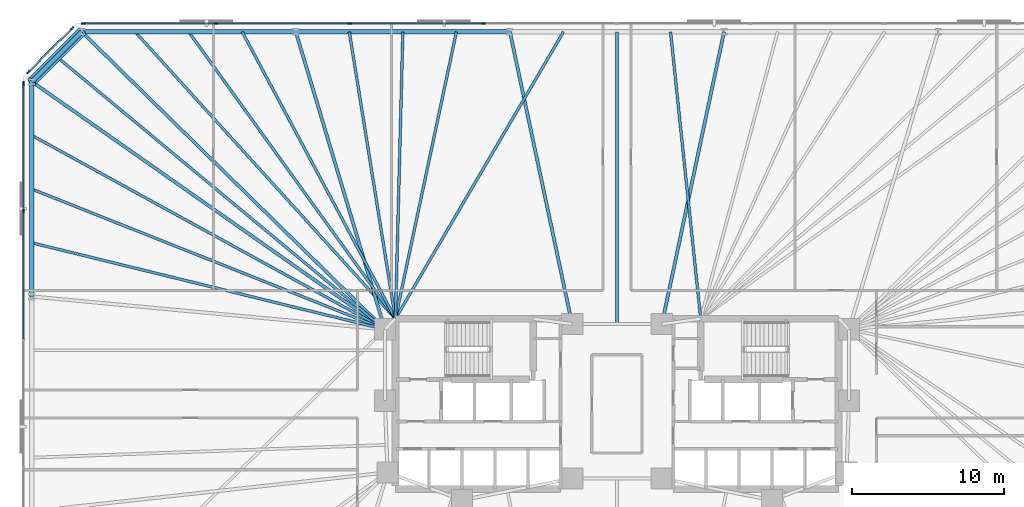
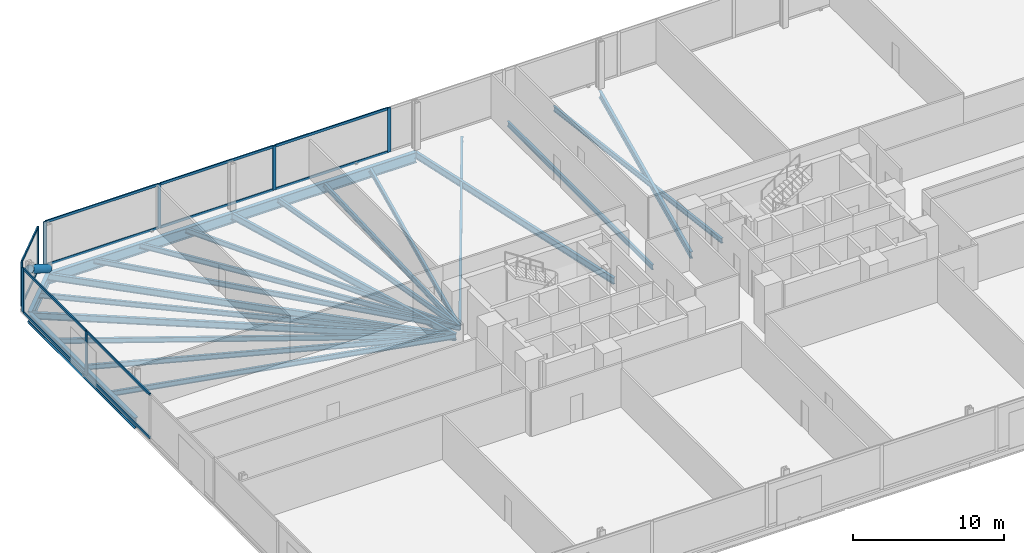
# One storey, part 8 of 17: 22 beams, 21 members, 3 elements without a shape of their own.
"""IFC4 building model written with IfcOpenShell, lengths in metres."""

from ifc_helpers import new_model, si_unit, direction, frame, origin, origin_2d, place, context, subcontext, project, spatial, rectangle, hollow_circle, i_section, extrude, material, material_profile, profile_set, type_object, element, aggregate, save


model = new_model("IFC4")

# Units and contexts
model_context = context("Model", 3, precision=1e-05, world=origin(), true_north=direction((0.0, 1.0)))
body_context = subcontext(model_context, "Body", "Model", "MODEL_VIEW")
ifc_project = project(units=[si_unit("LENGTHUNIT", "METRE"), si_unit("AREAUNIT", "SQUARE_METRE"), si_unit("VOLUMEUNIT", "CUBIC_METRE"), si_unit("PLANEANGLEUNIT", "RADIAN"), si_unit("MASSUNIT", "GRAM", prefix="KILO")], contexts=[model_context])

# Site, building, storey
site_placement = place(None, origin())
site = spatial("IfcSite", under=ifc_project, at=site_placement, CompositionType="ELEMENT")
building_placement = place(site_placement, origin())
building = spatial("IfcBuilding", under=site, at=building_placement, Name="Menara Jurai Vektor", CompositionType="ELEMENT")
storey_placement = place(building_placement, frame((0.0, 0.0, 71.199951171875)))
storey = spatial("IfcBuildingStorey", under=building, at=storey_placement, Name="L17", CompositionType="ELEMENT", Elevation=71.199951171875)

# Curtain wall, members
ifc_material_1 = material(Name="Anodised Pale Aluminium & Low-E Double Glazing", Category="aluminium")
curtain_wall_type = type_object("IfcCurtainWallType", Name="CW-BLK1", PredefinedType="NOTDEFINED", material=ifc_material_1)
curtain_wall_1_placement = place(storey_placement, origin())
curtain_wall_1 = element("IfcCurtainWall", 1, at=curtain_wall_1_placement, inside=storey, type_object=curtain_wall_type, Name="Unitised Curtain Wall L17 F05", PredefinedType="NOTDEFINED")
ifc_material_2 = material(Name="Anodised Pale Aluminium Mullion", Category="aluminium")
ifc_material_profile_1 = material_profile(ifc_material_2, rectangle(XDim=0.094970703125, YDim=0.239990234375, at=origin_2d()), Name="ALU MUL 95x240")
ifc_profile_set_1 = profile_set([ifc_material_profile_1], Name="Anodised Pale Aluminium Mullion")
member_type_1 = type_object("IfcMemberType", Name="CW-BLK1-MUL", PredefinedType="MULLION", material=ifc_profile_set_1)
member_1_placement = place(storey_placement, frame((-8.780029296875, 25.0, 0.0), z_axis=(0.0, 0.0, 1.0), x_axis=(0.0, -1.0, 0.0)))
member_1 = element("IfcMember", 2, at=member_1_placement, type_object=member_type_1, Name="CW-01 mullion 6", PredefinedType="MULLION", context=body_context, shape_type="SweptSolid", body=[
    extrude(rectangle(XDim=0.094970703125, YDim=0.239990234375, at=origin_2d()), origin(), (0.0, 0.0, 1.0), 3.574951171875),
])
member_2_placement = place(storey_placement, frame((-17.56005859375, 25.0, 0.0), z_axis=(0.0, 0.0, 1.0), x_axis=(0.0, -1.0, 0.0)))
member_2 = element("IfcMember", 3, at=member_2_placement, type_object=member_type_1, Name="CW-01 mullion 7", PredefinedType="MULLION", context=body_context, shape_type="SweptSolid", body=[
    extrude(rectangle(XDim=0.094970703125, YDim=0.239990234375, at=origin_2d()), origin(), (0.0, 0.0, 1.0), 3.574951171875),
])
member_3_placement = place(storey_placement, frame((-26.340087890625, 25.0, 0.0), z_axis=(0.0, 0.0, 1.0), x_axis=(0.0, -1.0, 0.0)))
member_3 = element("IfcMember", 4, at=member_3_placement, type_object=member_type_1, Name="CW-01 mullion 8", PredefinedType="MULLION", context=body_context, shape_type="SweptSolid", body=[
    extrude(rectangle(XDim=0.094970703125, YDim=0.239990234375, at=origin_2d()), origin(), (0.0, 0.0, 1.0), 3.574951171875),
])
member_4_placement = place(storey_placement, frame((-35.072509765625, 25.0, 0.0), z_axis=(0.0, 0.0, 1.0), x_axis=(0.0, -1.0, 0.0)))
member_4 = element("IfcMember", 5, at=member_4_placement, type_object=member_type_1, Name="CW-01 mullion 9", PredefinedType="MULLION", context=body_context, shape_type="SweptSolid", body=[
    extrude(rectangle(XDim=0.094970703125, YDim=0.239990234375, at=origin_2d()), origin(), (0.0, 0.0, 1.0), 3.574951171875),
])

curtain_wall_2_placement = place(storey_placement, origin())
curtain_wall_2 = element("IfcCurtainWall", 6, at=curtain_wall_2_placement, inside=storey, type_object=curtain_wall_type, Name="Unitised Curtain Wall L17 F06", PredefinedType="NOTDEFINED")
member_5_placement = place(storey_placement, frame((-35.80224609375, 24.69775390625, 0.0), z_axis=(0.0, 0.0, 1.0), x_axis=(0.707106781187, -0.707106781187, 0.0)))
member_5 = element("IfcMember", 7, at=member_5_placement, type_object=member_type_1, Name="CW-01 mullion 1", PredefinedType="MULLION", context=body_context, shape_type="SweptSolid", body=[
    extrude(rectangle(XDim=0.094970703125, YDim=0.239990234375, at=origin_2d()), origin(), (0.0, 0.0, 1.0), 3.574951171875),
])
member_6_placement = place(storey_placement, frame((-38.69775390625, 21.80224609375, 0.0), z_axis=(0.0, 0.0, 1.0), x_axis=(0.707106781187, -0.707106781187, 0.0)))
member_6 = element("IfcMember", 8, at=member_6_placement, type_object=member_type_1, Name="CW-01 mullion 2", PredefinedType="MULLION", context=body_context, shape_type="SweptSolid", body=[
    extrude(rectangle(XDim=0.094970703125, YDim=0.239990234375, at=origin_2d()), origin(), (0.0, 0.0, 1.0), 3.574951171875),
])

curtain_wall_3_placement = place(storey_placement, origin())
curtain_wall_3 = element("IfcCurtainWall", 9, at=curtain_wall_3_placement, inside=storey, type_object=curtain_wall_type, Name="Unitised Curtain Wall L17 F07", PredefinedType="NOTDEFINED")
member_7_placement = place(storey_placement, frame((-39.0, 21.072509765625, 0.0), z_axis=(0.0, 0.0, 1.0), x_axis=(1.0, 0.0, 0.0)))
member_7 = element("IfcMember", 10, at=member_7_placement, type_object=member_type_1, Name="CW-01 mullion 1", PredefinedType="MULLION", context=body_context, shape_type="SweptSolid", body=[
    extrude(rectangle(XDim=0.094970703125, YDim=0.239990234375, at=origin_2d()), origin(), (0.0, 0.0, 1.0), 3.574951171875),
])
member_8_placement = place(storey_placement, frame((-39.0, 12.672119140625, 0.0), z_axis=(0.0, 0.0, 1.0), x_axis=(1.0, 0.0, 0.0)))
member_8 = element("IfcMember", 11, at=member_8_placement, type_object=member_type_1, Name="CW-01 mullion 2", PredefinedType="MULLION", context=body_context, shape_type="SweptSolid", body=[
    extrude(rectangle(XDim=0.094970703125, YDim=0.239990234375, at=origin_2d()), origin(), (0.0, 0.0, 1.0), 3.574951171875),
])

# Member
ifc_material_3 = material(Name="Anodised Pale Aluminium Transom", Category="aluminium")
ifc_material_profile_2 = material_profile(ifc_material_3, rectangle(XDim=0.094970703125, YDim=0.199951171875, at=origin_2d()), Name="ALU TRN 95x200")
ifc_profile_set_2 = profile_set([ifc_material_profile_2], Name="Anodised Pale Aluminium Transom")
member_type_2 = type_object("IfcMemberType", Name="CW-BLK1-TRN", PredefinedType="USERDEFINED", material=ifc_profile_set_2)
member_9_placement = place(storey_placement, frame((-8.827392578125, 25.0, 0.047607421875), z_axis=(-1.0, 0.0, 0.0), x_axis=(0.0, -1.0, 0.0)))
member_9 = element("IfcMember", 12, at=member_9_placement, type_object=member_type_2, Name="CW-01 transom 6.1", ObjectType="TRANSOM", PredefinedType="USERDEFINED", context=body_context, shape_type="SweptSolid", body=[
    extrude(rectangle(XDim=0.094970703125, YDim=0.199951171875, at=origin_2d()), origin(), (0.0, 0.0, 1.0), 8.68505859375),
])

member_10_placement = place(storey_placement, frame((-8.827392578125, 25.0, 3.527587890625), z_axis=(-1.0, 0.0, 0.0), x_axis=(0.0, -1.0, 0.0)))
member_10 = element("IfcMember", 13, at=member_10_placement, type_object=member_type_2, Name="CW-01 transom 6.2", ObjectType="TRANSOM", PredefinedType="USERDEFINED", context=body_context, shape_type="SweptSolid", body=[
    extrude(rectangle(XDim=0.094970703125, YDim=0.199951171875, at=origin_2d()), origin(), (0.0, 0.0, 1.0), 8.68505859375),
])

member_11_placement = place(storey_placement, frame((-17.607421875, 25.0, 0.047607421875), z_axis=(-1.0, 0.0, 0.0), x_axis=(0.0, -1.0, 0.0)))
member_11 = element("IfcMember", 14, at=member_11_placement, type_object=member_type_2, Name="CW-01 transom 7.1", ObjectType="TRANSOM", PredefinedType="USERDEFINED", context=body_context, shape_type="SweptSolid", body=[
    extrude(rectangle(XDim=0.094970703125, YDim=0.199951171875, at=origin_2d()), origin(), (0.0, 0.0, 1.0), 8.68505859375),
])

member_12_placement = place(storey_placement, frame((-17.607421875, 25.0, 3.527587890625), z_axis=(-1.0, 0.0, 0.0), x_axis=(0.0, -1.0, 0.0)))
member_12 = element("IfcMember", 15, at=member_12_placement, type_object=member_type_2, Name="CW-01 transom 7.2", ObjectType="TRANSOM", PredefinedType="USERDEFINED", context=body_context, shape_type="SweptSolid", body=[
    extrude(rectangle(XDim=0.094970703125, YDim=0.199951171875, at=origin_2d()), origin(), (0.0, 0.0, 1.0), 8.68505859375),
])

member_13_placement = place(storey_placement, frame((-26.387451171875, 25.0, 0.047607421875), z_axis=(-1.0, 0.0, 0.0), x_axis=(0.0, -1.0, 0.0)))
member_13 = element("IfcMember", 16, at=member_13_placement, type_object=member_type_2, Name="CW-01 transom 8.1", ObjectType="TRANSOM", PredefinedType="USERDEFINED", context=body_context, shape_type="SweptSolid", body=[
    extrude(rectangle(XDim=0.094970703125, YDim=0.199951171875, at=origin_2d()), origin(), (0.0, 0.0, 1.0), 8.637451171875),
])

member_14_placement = place(storey_placement, frame((-26.387451171875, 25.0, 3.527587890625), z_axis=(-1.0, 0.0, 0.0), x_axis=(0.0, -1.0, 0.0)))
member_14 = element("IfcMember", 17, at=member_14_placement, type_object=member_type_2, Name="CW-01 transom 8.2", ObjectType="TRANSOM", PredefinedType="USERDEFINED", context=body_context, shape_type="SweptSolid", body=[
    extrude(rectangle(XDim=0.094970703125, YDim=0.199951171875, at=origin_2d()), origin(), (0.0, 0.0, 1.0), 8.637451171875),
])

aggregate(curtain_wall_1, [member_1, member_2, member_3, member_4, member_9, member_10, member_11, member_12, member_13, member_14])

member_15_placement = place(storey_placement, frame((-35.8359375, 24.6640625, 0.047607421875), z_axis=(-0.707106781187, -0.707106781187, 0.0), x_axis=(0.707106781187, -0.707106781187, 0.0)))
member_15 = element("IfcMember", 18, at=member_15_placement, type_object=member_type_2, Name="CW-01 transom 1.1", ObjectType="TRANSOM", PredefinedType="USERDEFINED", context=body_context, shape_type="SweptSolid", body=[
    extrude(rectangle(XDim=0.094970703125, YDim=0.199951171875, at=origin_2d()), origin(), (0.0, 0.0, 1.0), 3.99951171875),
])

member_16_placement = place(storey_placement, frame((-35.8359375, 24.6640625, 3.527587890625), z_axis=(-0.707106781187, -0.707106781187, 0.0), x_axis=(0.707106781187, -0.707106781187, 0.0)))
member_16 = element("IfcMember", 19, at=member_16_placement, type_object=member_type_2, Name="CW-01 transom 1.2", ObjectType="TRANSOM", PredefinedType="USERDEFINED", context=body_context, shape_type="SweptSolid", body=[
    extrude(rectangle(XDim=0.094970703125, YDim=0.199951171875, at=origin_2d()), origin(), (0.0, 0.0, 1.0), 3.99951171875),
])

aggregate(curtain_wall_2, [member_5, member_6, member_15, member_16])

member_17_placement = place(storey_placement, frame((-39.0, 21.02490234375, 0.047607421875), z_axis=(0.0, -1.0, 0.0), x_axis=(1.0, 0.0, 0.0)))
member_17 = element("IfcMember", 20, at=member_17_placement, type_object=member_type_2, Name="CW-01 transom 1.1", ObjectType="TRANSOM", PredefinedType="USERDEFINED", context=body_context, shape_type="SweptSolid", body=[
    extrude(rectangle(XDim=0.094970703125, YDim=0.199951171875, at=origin_2d()), origin(), (0.0, 0.0, 1.0), 8.305419921875),
])

member_18_placement = place(storey_placement, frame((-39.0, 21.02490234375, 3.527587890625), z_axis=(0.0, -1.0, 0.0), x_axis=(1.0, 0.0, 0.0)))
member_18 = element("IfcMember", 21, at=member_18_placement, type_object=member_type_2, Name="CW-01 transom 1.2", ObjectType="TRANSOM", PredefinedType="USERDEFINED", context=body_context, shape_type="SweptSolid", body=[
    extrude(rectangle(XDim=0.094970703125, YDim=0.199951171875, at=origin_2d()), origin(), (0.0, 0.0, 1.0), 8.305419921875),
])

member_19_placement = place(storey_placement, frame((-39.0, 12.62451171875, 0.047607421875), z_axis=(0.0, -1.0, 0.0), x_axis=(1.0, 0.0, 0.0)))
member_19 = element("IfcMember", 22, at=member_19_placement, type_object=member_type_2, Name="CW-01 transom 2.1", ObjectType="TRANSOM", PredefinedType="USERDEFINED", context=body_context, shape_type="SweptSolid", body=[
    extrude(rectangle(XDim=0.094970703125, YDim=0.199951171875, at=origin_2d()), origin(), (0.0, 0.0, 1.0), 8.35302734375),
])

member_20_placement = place(storey_placement, frame((-39.0, 12.62451171875, 3.527587890625), z_axis=(0.0, -1.0, 0.0), x_axis=(1.0, 0.0, 0.0)))
member_20 = element("IfcMember", 23, at=member_20_placement, type_object=member_type_2, Name="CW-01 transom 2.2", ObjectType="TRANSOM", PredefinedType="USERDEFINED", context=body_context, shape_type="SweptSolid", body=[
    extrude(rectangle(XDim=0.094970703125, YDim=0.199951171875, at=origin_2d()), origin(), (0.0, 0.0, 1.0), 8.35302734375),
])

aggregate(curtain_wall_3, [member_7, member_8, member_17, member_18, member_19, member_20])

# Beams
ifc_material_4 = material(Name="Steel S355", Category="steel")
ifc_material_profile_3 = material_profile(ifc_material_4, i_section(OverallWidth=0.2109375, OverallDepth=0.5390625, WebThickness=0.011962890625, FlangeThickness=0.01904296875, FilletRadius=0.012939453125, at=origin_2d()), Name="UKB 533x210x109")
ifc_profile_set_3 = profile_set([ifc_material_profile_3], Name="Steel S355")
beam_type_1 = type_object("IfcBeamType", Name="STR-BM-533", PredefinedType="BEAM", material=ifc_profile_set_3)
for number, where, z_axis, x_axis, name in (
    (24, (7.03564453125, 24.449951171875, -0.494384765625), (-0.2081367579, -0.978099734184, 0.0), (0.978099734184, -0.2081367579, 0.0), "Radial Floor Girder L17-N3"),
    (25, (-7.03564453125, 24.449951171875, -0.494384765625), (0.2081367579, -0.978099734184, 0.0), (0.978099734184, 0.2081367579, 0.0), "Radial Floor Girder L17-N4"),
):
    element("IfcBeam", number, at=place(storey_placement, frame(where, z_axis=z_axis, x_axis=x_axis)), inside=storey, type_object=beam_type_1, Name=name, PredefinedType="BEAM", context=body_context, shape_type="SweptSolid", body=[
        extrude(i_section(OverallWidth=0.2109375, OverallDepth=0.5390625, WebThickness=0.011962890625, FlangeThickness=0.01904296875, FilletRadius=0.012939453125, at=origin_2d()), origin(), (0.0, 0.0, 1.0), 19.6298828125),
    ])
beam_1_placement = place(storey_placement, frame((-21.106689453125, 24.449951171875, -0.494384765625), z_axis=(0.286973617166, -0.957938486047, 0.0), x_axis=(0.957938486047, 0.286973617166, 0.0)))
element("IfcBeam", 26, at=beam_1_placement, inside=storey, type_object=beam_type_1, Name="Radial Floor Girder L17-N5", PredefinedType="BEAM", context=body_context, shape_type="SweptSolid", body=[
    extrude(i_section(OverallWidth=0.2109375, OverallDepth=0.5390625, WebThickness=0.011962890625, FlangeThickness=0.01904296875, FilletRadius=0.012939453125, at=origin_2d()), origin(), (0.0, 0.0, 1.0), 20.408447265625),
])
beam_2_placement = place(storey_placement, frame((-35.177734375, 24.449951171875, -0.494384765625), z_axis=(0.713839032855, -0.700309813706, 0.0), x_axis=(0.700309813706, 0.713839032855, 0.0)))
element("IfcBeam", 27, at=beam_2_placement, inside=storey, type_object=beam_type_1, Name="Radial Floor Girder L17-N6", PredefinedType="BEAM", context=body_context, shape_type="SweptSolid", body=[
    extrude(i_section(OverallWidth=0.2109375, OverallDepth=0.5390625, WebThickness=0.011962890625, FlangeThickness=0.01904296875, FilletRadius=0.012939453125, at=origin_2d()), origin(), (0.0, 0.0, 1.0), 27.916259765625),
])
beam_3_placement = place(storey_placement, frame((-38.449951171875, 21.177734375, -0.494384765625), z_axis=(0.818603732445, -0.574358711283, 0.0), x_axis=(0.574358711283, 0.818603732445, 0.0)))
element("IfcBeam", 28, at=beam_3_placement, inside=storey, type_object=beam_type_1, Name="Radial Floor Girder L17-W1", PredefinedType="BEAM", context=body_context, shape_type="SweptSolid", body=[
    extrude(i_section(OverallWidth=0.2109375, OverallDepth=0.5390625, WebThickness=0.011962890625, FlangeThickness=0.01904296875, FilletRadius=0.012939453125, at=origin_2d()), origin(), (0.0, 0.0, 1.0), 28.3408203125),
])

# Member
ifc_material_5 = material(Name="Steel S460", Category="steel")
ifc_material_profile_4 = material_profile(ifc_material_5, hollow_circle(Radius=0.304931640625, WallThickness=0.02490234375, at=origin_2d()), Name="CHS 610x25")
ifc_profile_set_4 = profile_set([ifc_material_profile_4], Name="Steel S460")
member_type_3 = type_object("IfcMemberType", Name="STR-BR-610", PredefinedType="BRACE", material=ifc_profile_set_4)
member_21_placement = place(storey_placement, frame((-35.177734375, 24.449951171875, 0.150146484375), z_axis=(-0.588942422958, -0.588942422958, 0.553438022619), x_axis=(0.707106781187, -0.707106781187, 0.0)))
element("IfcMember", 29, at=member_21_placement, inside=storey, type_object=member_type_3, Name="Exoskeleton Corner Brace L17-3", PredefinedType="BRACE", context=body_context, shape_type="SweptSolid", body=[
    extrude(hollow_circle(Radius=0.304931640625, WallThickness=0.02490234375, at=origin_2d()), origin(), (0.0, 0.0, 1.0), 5.55615234375),
])

# Beams
ifc_material_profile_5 = material_profile(ifc_material_4, i_section(OverallWidth=0.178955078125, OverallDepth=0.408935546875, WebThickness=0.009033203125, FlangeThickness=0.013916015625, FilletRadius=0.010009765625, at=origin_2d()), Name="UKB 406x178x67")
ifc_profile_set_5 = profile_set([ifc_material_profile_5], Name="Steel S355")
beam_type_2 = type_object("IfcBeamType", Name="STR-JS-406", PredefinedType="JOIST", material=ifc_profile_set_5)
beam_4_placement = place(storey_placement, frame((3.517822265625, 24.449951171875, -0.429443359375), z_axis=(0.104579513969, -0.994516528399, 0.0), x_axis=(0.994516528399, 0.104579513969, 0.0)))
element("IfcBeam", 30, at=beam_4_placement, inside=storey, type_object=beam_type_2, Name="Radial Secondary Floor Joist L17-JS22", PredefinedType="JOIST", context=body_context, shape_type="SweptSolid", body=[
    extrude(i_section(OverallWidth=0.178955078125, OverallDepth=0.408935546875, WebThickness=0.009033203125, FlangeThickness=0.013916015625, FilletRadius=0.010009765625, at=origin_2d()), origin(), (0.0, 0.0, 1.0), 18.953857421875),
])
beam_5_placement = place(storey_placement, frame((0.0, 24.449951171875, -0.429443359375), z_axis=(0.0, -1.0, 0.0), x_axis=(1.0, 0.0, 0.0)))
element("IfcBeam", 31, at=beam_5_placement, inside=storey, type_object=beam_type_2, Name="Radial Secondary Floor Joist L17-JS23", PredefinedType="JOIST", context=body_context, shape_type="SweptSolid", body=[
    extrude(i_section(OverallWidth=0.178955078125, OverallDepth=0.408935546875, WebThickness=0.009033203125, FlangeThickness=0.013916015625, FilletRadius=0.010009765625, at=origin_2d()), origin(), (0.0, 0.0, 1.0), 19.199951171875),
])
beam_6_placement = place(storey_placement, frame((-3.517822265625, 24.449951171875, -0.429443359375), z_axis=(-0.505457909797, -0.862851262631, 0.0), x_axis=(0.862851262631, -0.505457909797, 0.0)))
element("IfcBeam", 32, at=beam_6_placement, inside=storey, type_object=beam_type_2, Name="Radial Secondary Floor Joist L17-JS24", PredefinedType="JOIST", context=body_context, shape_type="SweptSolid", body=[
    extrude(i_section(OverallWidth=0.178955078125, OverallDepth=0.408935546875, WebThickness=0.009033203125, FlangeThickness=0.013916015625, FilletRadius=0.010009765625, at=origin_2d()), origin(), (0.0, 0.0, 1.0), 21.845947265625),
])
beam_7_placement = place(storey_placement, frame((-10.55322265625, 24.449951171875, -0.429443359375), z_axis=(-0.207920423262, -0.978145744555, 0.0), x_axis=(0.978145744555, -0.207920423262, 0.0)))
element("IfcBeam", 33, at=beam_7_placement, inside=storey, type_object=beam_type_2, Name="Radial Secondary Floor Joist L17-JS25", PredefinedType="JOIST", context=body_context, shape_type="SweptSolid", body=[
    extrude(i_section(OverallWidth=0.178955078125, OverallDepth=0.408935546875, WebThickness=0.009033203125, FlangeThickness=0.013916015625, FilletRadius=0.010009765625, at=origin_2d()), origin(), (0.0, 0.0, 1.0), 19.27099609375),
])
beam_8_placement = place(storey_placement, frame((-14.071044921875, 24.449951171875, -0.429443359375), z_axis=(-0.02593384597, -0.999663661255, 0.0), x_axis=(0.999663661255, -0.02593384597, 0.0)))
element("IfcBeam", 34, at=beam_8_placement, inside=storey, type_object=beam_type_2, Name="Radial Secondary Floor Joist L17-JS26", PredefinedType="JOIST", context=body_context, shape_type="SweptSolid", body=[
    extrude(i_section(OverallWidth=0.178955078125, OverallDepth=0.408935546875, WebThickness=0.009033203125, FlangeThickness=0.013916015625, FilletRadius=0.010009765625, at=origin_2d()), origin(), (0.0, 0.0, 1.0), 18.856201171875),
])
beam_9_placement = place(storey_placement, frame((-17.5888671875, 24.449951171875, -0.429443359375), z_axis=(0.158645817656, -0.987335558227, 0.0), x_axis=(0.987335558227, 0.158645817656, 0.0)))
element("IfcBeam", 35, at=beam_9_placement, inside=storey, type_object=beam_type_2, Name="Radial Secondary Floor Joist L17-JS27", PredefinedType="JOIST", context=body_context, shape_type="SweptSolid", body=[
    extrude(i_section(OverallWidth=0.178955078125, OverallDepth=0.408935546875, WebThickness=0.009033203125, FlangeThickness=0.013916015625, FilletRadius=0.010009765625, at=origin_2d()), origin(), (0.0, 0.0, 1.0), 19.091552734375),
])
beam_10_placement = place(storey_placement, frame((-24.62451171875, 24.449951171875, -0.429443359375), z_axis=(0.470996174599, -0.882135252392, 0.0), x_axis=(0.882135252392, 0.470996174599, 0.0)))
element("IfcBeam", 36, at=beam_10_placement, inside=storey, type_object=beam_type_2, Name="Radial Secondary Floor Joist L17-JS28", PredefinedType="JOIST", context=body_context, shape_type="SweptSolid", body=[
    extrude(i_section(OverallWidth=0.178955078125, OverallDepth=0.408935546875, WebThickness=0.009033203125, FlangeThickness=0.013916015625, FilletRadius=0.010009765625, at=origin_2d()), origin(), (0.0, 0.0, 1.0), 21.368408203125),
])
beam_11_placement = place(storey_placement, frame((-28.142333984375, 24.449951171875, -0.429443359375), z_axis=(0.584598948369, -0.811322420229, 0.0), x_axis=(0.811322420229, 0.584598948369, 0.0)))
element("IfcBeam", 37, at=beam_11_placement, inside=storey, type_object=beam_type_2, Name="Radial Secondary Floor Joist L17-JS29", PredefinedType="JOIST", context=body_context, shape_type="SweptSolid", body=[
    extrude(i_section(OverallWidth=0.178955078125, OverallDepth=0.408935546875, WebThickness=0.009033203125, FlangeThickness=0.013916015625, FilletRadius=0.010009765625, at=origin_2d()), origin(), (0.0, 0.0, 1.0), 23.2333984375),
])
beam_12_placement = place(storey_placement, frame((-31.659912109375, 24.449951171875, -0.429443359375), z_axis=(0.671889844346, -0.740651089964, 0.0), x_axis=(0.740651089964, 0.671889844346, 0.0)))
element("IfcBeam", 38, at=beam_12_placement, inside=storey, type_object=beam_type_2, Name="Radial Secondary Floor Joist L17-JS30", PredefinedType="JOIST", context=body_context, shape_type="SweptSolid", body=[
    extrude(i_section(OverallWidth=0.178955078125, OverallDepth=0.408935546875, WebThickness=0.009033203125, FlangeThickness=0.013916015625, FilletRadius=0.010009765625, at=origin_2d()), origin(), (0.0, 0.0, 1.0), 25.450439453125),
])
beam_13_placement = place(storey_placement, frame((-36.81396484375, 22.81396484375, -0.429443359375), z_axis=(0.769201173096, -0.639006694259, 0.0), x_axis=(0.639006694259, 0.769201173096, 0.0)))
element("IfcBeam", 39, at=beam_13_placement, inside=storey, type_object=beam_type_2, Name="Radial Secondary Floor Joist L17-JS31", PredefinedType="JOIST", context=body_context, shape_type="SweptSolid", body=[
    extrude(i_section(OverallWidth=0.178955078125, OverallDepth=0.408935546875, WebThickness=0.009033203125, FlangeThickness=0.013916015625, FilletRadius=0.010009765625, at=origin_2d()), origin(), (0.0, 0.0, 1.0), 28.0341796875),
])
beam_14_placement = place(storey_placement, frame((-38.449951171875, 17.648193359375, -0.429443359375), z_axis=(0.87640219057, -0.481579900291, 0.0), x_axis=(0.481579900291, 0.87640219057, 0.0)))
element("IfcBeam", 40, at=beam_14_placement, inside=storey, type_object=beam_type_2, Name="Radial Secondary Floor Joist L17-JS32", PredefinedType="JOIST", context=body_context, shape_type="SweptSolid", body=[
    extrude(i_section(OverallWidth=0.178955078125, OverallDepth=0.408935546875, WebThickness=0.009033203125, FlangeThickness=0.013916015625, FilletRadius=0.010009765625, at=origin_2d()), origin(), (0.0, 0.0, 1.0), 26.471923828125),
])
beam_15_placement = place(storey_placement, frame((-38.449951171875, 14.118408203125, -0.429443359375), z_axis=(0.929323400723, -0.369266864027, 0.0), x_axis=(0.369266864027, 0.929323400723, 0.0)))
element("IfcBeam", 41, at=beam_15_placement, inside=storey, type_object=beam_type_2, Name="Radial Secondary Floor Joist L17-JS33", PredefinedType="JOIST", context=body_context, shape_type="SweptSolid", body=[
    extrude(i_section(OverallWidth=0.178955078125, OverallDepth=0.408935546875, WebThickness=0.009033203125, FlangeThickness=0.013916015625, FilletRadius=0.010009765625, at=origin_2d()), origin(), (0.0, 0.0, 1.0), 24.96435546875),
])
beam_16_placement = place(storey_placement, frame((-38.449951171875, 10.5888671875, -0.429443359375), z_axis=(0.971226234641, -0.238158772976, 0.0), x_axis=(0.238158772976, 0.971226234641, 0.0)))
element("IfcBeam", 42, at=beam_16_placement, inside=storey, type_object=beam_type_2, Name="Radial Secondary Floor Joist L17-JS34", PredefinedType="JOIST", context=body_context, shape_type="SweptSolid", body=[
    extrude(i_section(OverallWidth=0.178955078125, OverallDepth=0.408935546875, WebThickness=0.009033203125, FlangeThickness=0.013916015625, FilletRadius=0.010009765625, at=origin_2d()), origin(), (0.0, 0.0, 1.0), 23.88720703125),
])
ifc_material_profile_6 = material_profile(ifc_material_5, i_section(OverallWidth=0.2939453125, OverallDepth=0.85107421875, WebThickness=0.01611328125, FlangeThickness=0.027099609375, FilletRadius=0.01806640625, at=origin_2d()), Name="UKB 838x292x226")
ifc_profile_set_6 = profile_set([ifc_material_profile_6], Name="Steel S460")
beam_type_3 = type_object("IfcBeamType", Name="STR-SP-838", PredefinedType="SPANDREL", material=ifc_profile_set_6)
for number, where, z_axis, x_axis, name in (
    (43, (-7.03564453125, 24.449951171875, -0.650390625), (-1.0, 0.0, 0.0), (0.0, -1.0, 0.0), "Exoskeleton Spandrel Beam L17-14"),
    (44, (-21.106689453125, 24.449951171875, -0.650390625), (-1.0, 0.0, 0.0), (0.0, -1.0, 0.0), "Exoskeleton Spandrel Beam L17-15"),
):
    element("IfcBeam", number, at=place(storey_placement, frame(where, z_axis=z_axis, x_axis=x_axis)), inside=storey, type_object=beam_type_3, Name=name, PredefinedType="SPANDREL", context=body_context, shape_type="SweptSolid", body=[
        extrude(i_section(OverallWidth=0.2939453125, OverallDepth=0.85107421875, WebThickness=0.01611328125, FlangeThickness=0.027099609375, FilletRadius=0.01806640625, at=origin_2d()), origin(), (0.0, 0.0, 1.0), 14.071044921875),
    ])
beam_17_placement = place(storey_placement, frame((-35.177734375, 24.449951171875, -0.650390625), z_axis=(-0.707106781187, -0.707106781187, 0.0), x_axis=(0.707106781187, -0.707106781187, 0.0)))
element("IfcBeam", 45, at=beam_17_placement, inside=storey, type_object=beam_type_3, Name="Exoskeleton Spandrel Beam L17-16", PredefinedType="SPANDREL", context=body_context, shape_type="SweptSolid", body=[
    extrude(i_section(OverallWidth=0.2939453125, OverallDepth=0.85107421875, WebThickness=0.01611328125, FlangeThickness=0.027099609375, FilletRadius=0.01806640625, at=origin_2d()), origin(), (0.0, 0.0, 1.0), 4.627685546875),
])
beam_18_placement = place(storey_placement, frame((-38.449951171875, 21.177734375, -0.650390625), z_axis=(0.0, -1.0, 0.0), x_axis=(1.0, 0.0, 0.0)))
element("IfcBeam", 46, at=beam_18_placement, inside=storey, type_object=beam_type_3, Name="Exoskeleton Spandrel Beam L17-17", PredefinedType="SPANDREL", context=body_context, shape_type="SweptSolid", body=[
    extrude(i_section(OverallWidth=0.2939453125, OverallDepth=0.85107421875, WebThickness=0.01611328125, FlangeThickness=0.027099609375, FilletRadius=0.01806640625, at=origin_2d()), origin(), (0.0, 0.0, 1.0), 14.118408203125),
])

save(model, "model.ifc")
